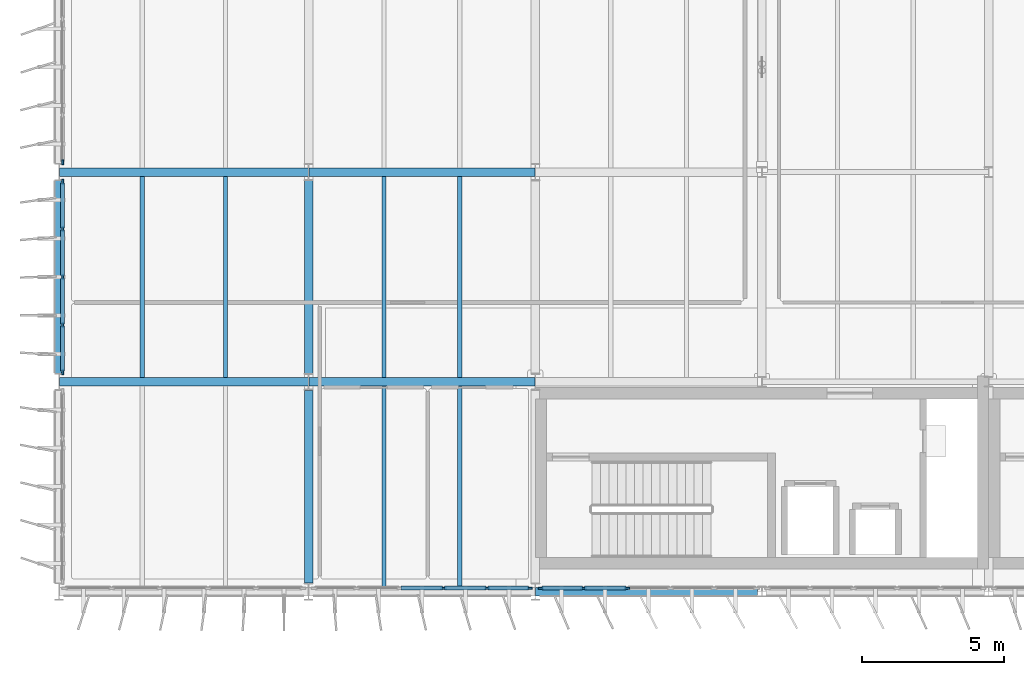
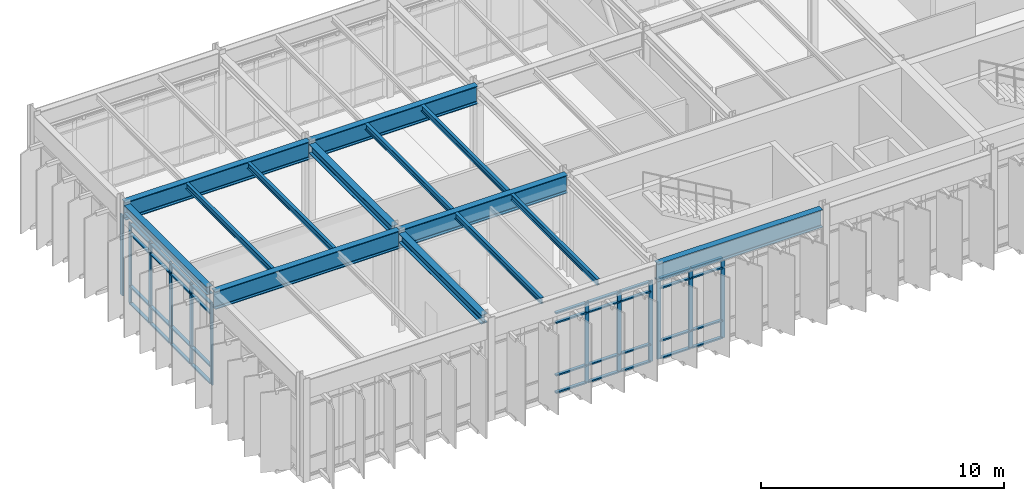
# One storey, part 8 of 48: 48 members, 14 beams, 4 elements without a shape of their own.
"""IFC4 building model written with IfcOpenShell, lengths in metres."""

from ifc_helpers import new_model, si_unit, direction, frame, origin, origin_2d, place, context, subcontext, project, spatial, rectangle, i_section, extrude, material, layer, layer_set, material_profile, profile_set, type_object, element, aggregate, save


model = new_model("IFC4")

# Units and contexts
model_context = context("Model", 3, precision=1e-05, world=origin(), true_north=direction((0.0, 1.0)))
body_context = subcontext(model_context, "Body", "Model", "MODEL_VIEW")
ifc_project = project(units=[si_unit("LENGTHUNIT", "METRE"), si_unit("AREAUNIT", "SQUARE_METRE"), si_unit("VOLUMEUNIT", "CUBIC_METRE"), si_unit("PLANEANGLEUNIT", "RADIAN"), si_unit("MASSUNIT", "GRAM", prefix="KILO")], contexts=[model_context])

# Site, building, storey
site_placement = place(None, origin())
site = spatial("IfcSite", under=ifc_project, at=site_placement, CompositionType="ELEMENT")
building_placement = place(site_placement, origin())
building = spatial("IfcBuilding", under=site, at=building_placement, Name="Valkorina Park Police Headquarters", CompositionType="ELEMENT")
storey_placement = place(building_placement, frame((0.0, 0.0, 18.10009765625)))
storey = spatial("IfcBuildingStorey", under=building, at=storey_placement, Name="L05", CompositionType="ELEMENT", Elevation=18.10009765625)

# Beams
ifc_material_1 = material(Name="Steel S355", Category="steel")
ifc_material_profile_1 = material_profile(ifc_material_1, i_section(OverallWidth=0.300048828125, OverallDepth=0.389892578125, WebThickness=0.010986328125, FlangeThickness=0.01904296875, FilletRadius=0.027099609375, at=origin_2d()), Name="HEA 400")
ifc_profile_set_1 = profile_set([ifc_material_profile_1], Name="Steel S355")
beam_type_1 = type_object("IfcBeamType", Name="BM-S355-HEA400-SPN", PredefinedType="SPANDREL", material=ifc_profile_set_1)
beam_1_placement = place(storey_placement, frame((0.0, 44.699951171875, 4.784912109375), z_axis=(0.0, 1.0, 0.0), x_axis=(-1.0, 0.0, 0.0)))
element("IfcBeam", 1, at=beam_1_placement, inside=storey, type_object=beam_type_1, Name="L05 Framing Beam 2510", PredefinedType="SPANDREL", context=body_context, shape_type="SweptSolid", body=[
    extrude(i_section(OverallWidth=0.300048828125, OverallDepth=0.389892578125, WebThickness=0.010986328125, FlangeThickness=0.01904296875, FilletRadius=0.027099609375, at=origin_2d()), origin(), (0.0, 0.0, 1.0), 6.800048828125),
])
ifc_material_profile_2 = material_profile(ifc_material_1, i_section(OverallWidth=0.300048828125, OverallDepth=0.449951171875, WebThickness=0.013916015625, FlangeThickness=0.02587890625, FilletRadius=0.027099609375, at=origin_2d()), Name="HEB 450")
ifc_profile_set_2 = profile_set([ifc_material_profile_2], Name="Steel S355")
beam_type_2 = type_object("IfcBeamType", Name="BM-S355-HEB450-BM", PredefinedType="BEAM", material=ifc_profile_set_2)
for number, where, z_axis, x_axis, name in (
    (2, (8.800048828125, 37.300048828125, 4.7548828125), (0.0, 1.0, 0.0), (-1.0, 0.0, 0.0), "L05 Framing Beam 2516"),
    (3, (8.800048828125, 44.699951171875, 4.7548828125), (0.0, 1.0, 0.0), (-1.0, 0.0, 0.0), "L05 Framing Beam 2519"),
):
    element("IfcBeam", number, at=place(storey_placement, frame(where, z_axis=z_axis, x_axis=x_axis)), inside=storey, type_object=beam_type_2, Name=name, PredefinedType="BEAM", context=body_context, shape_type="SweptSolid", body=[
        extrude(i_section(OverallWidth=0.300048828125, OverallDepth=0.449951171875, WebThickness=0.013916015625, FlangeThickness=0.02587890625, FilletRadius=0.027099609375, at=origin_2d()), origin(), (0.0, 0.0, 1.0), 6.800048828125),
    ])
ifc_material_profile_3 = material_profile(ifc_material_1, i_section(OverallWidth=0.300048828125, OverallDepth=0.89990234375, WebThickness=0.0185546875, FlangeThickness=0.034912109375, FilletRadius=0.030029296875, at=origin_2d()), Name="HEB 900")
ifc_profile_set_3 = profile_set([ifc_material_profile_3], Name="Steel S355")
beam_type_3 = type_object("IfcBeamType", Name="BM-S355-HEB900-BM", PredefinedType="BEAM", material=ifc_profile_set_3)
beam_2_placement = place(storey_placement, frame((0.0078125, 44.39990234375, 4.52978515625), z_axis=(1.0, 0.0, 0.0), x_axis=(0.0, 1.0, 0.0)))
element("IfcBeam", 4, at=beam_2_placement, inside=storey, type_object=beam_type_3, Name="L05 Framing Beam 2468", PredefinedType="BEAM", context=body_context, shape_type="SweptSolid", body=[
    extrude(i_section(OverallWidth=0.300048828125, OverallDepth=0.89990234375, WebThickness=0.0185546875, FlangeThickness=0.034912109375, FilletRadius=0.030029296875, at=origin_2d()), origin(), (0.0, 0.0, 1.0), 8.784423828125),
])
beam_3_placement = place(storey_placement, frame((8.8076171875, 44.39990234375, 4.52978515625), z_axis=(1.0, 0.0, 0.0), x_axis=(0.0, 1.0, 0.0)))
element("IfcBeam", 5, at=beam_3_placement, inside=storey, type_object=beam_type_3, Name="L05 Framing Beam 2469", PredefinedType="BEAM", context=body_context, shape_type="SweptSolid", body=[
    extrude(i_section(OverallWidth=0.300048828125, OverallDepth=0.89990234375, WebThickness=0.0185546875, FlangeThickness=0.034912109375, FilletRadius=0.030029296875, at=origin_2d()), origin(), (0.0, 0.0, 1.0), 7.984619140625),
])
beam_4_placement = place(storey_placement, frame((0.0078125, 51.800048828125, 4.52978515625), z_axis=(1.0, 0.0, 0.0), x_axis=(0.0, 1.0, 0.0)))
element("IfcBeam", 6, at=beam_4_placement, inside=storey, type_object=beam_type_3, Name="L05 Framing Beam 2479", PredefinedType="BEAM", context=body_context, shape_type="SweptSolid", body=[
    extrude(i_section(OverallWidth=0.300048828125, OverallDepth=0.89990234375, WebThickness=0.0185546875, FlangeThickness=0.034912109375, FilletRadius=0.030029296875, at=origin_2d()), origin(), (0.0, 0.0, 1.0), 8.784423828125),
])
beam_5_placement = place(storey_placement, frame((8.8076171875, 51.800048828125, 4.52978515625), z_axis=(1.0, 0.0, 0.0), x_axis=(0.0, 1.0, 0.0)))
element("IfcBeam", 7, at=beam_5_placement, inside=storey, type_object=beam_type_3, Name="L05 Framing Beam 2480", PredefinedType="BEAM", context=body_context, shape_type="SweptSolid", body=[
    extrude(i_section(OverallWidth=0.300048828125, OverallDepth=0.89990234375, WebThickness=0.0185546875, FlangeThickness=0.034912109375, FilletRadius=0.030029296875, at=origin_2d()), origin(), (0.0, 0.0, 1.0), 7.984619140625),
])
ifc_material_profile_4 = material_profile(ifc_material_1, i_section(OverallWidth=0.300048828125, OverallDepth=0.89990234375, WebThickness=0.0185546875, FlangeThickness=0.034912109375, FilletRadius=0.030029296875, at=origin_2d()), Name="HEB 900")
ifc_profile_set_4 = profile_set([ifc_material_profile_4], Name="Steel S355")
beam_type_4 = type_object("IfcBeamType", Name="BM-S355-HEB900-EXT", PredefinedType="SPANDREL", material=ifc_profile_set_4)
beam_6_placement = place(storey_placement, frame((16.8076171875, 37.0, 4.52978515625), z_axis=(1.0, 0.0, 0.0), x_axis=(0.0, 1.0, 0.0)))
element("IfcBeam", 8, at=beam_6_placement, inside=storey, type_object=beam_type_4, Name="L05 Framing Beam 2456", PredefinedType="SPANDREL", context=body_context, shape_type="SweptSolid", body=[
    extrude(i_section(OverallWidth=0.300048828125, OverallDepth=0.89990234375, WebThickness=0.0185546875, FlangeThickness=0.034912109375, FilletRadius=0.030029296875, at=origin_2d()), origin(), (0.0, 0.0, 1.0), 7.84228515625),
])
ifc_material_profile_5 = material_profile(ifc_material_1, i_section(OverallWidth=0.14990234375, OverallDepth=0.300048828125, WebThickness=0.007080078125, FlangeThickness=0.0107421875, FilletRadius=0.014892578125, at=origin_2d()), Name="IPE 300")
ifc_profile_set_5 = profile_set([ifc_material_profile_5], Name="Steel S355")
beam_type_5 = type_object("IfcBeamType", Name="BM-S355-IPE300-JST", PredefinedType="JOIST", material=ifc_profile_set_5)
for number, where, z_axis, x_axis, name in (
    (9, (2.933349609375, 44.550048828125, 4.829833984375), (0.0, 1.0, 0.0), (-1.0, 0.0, 0.0), "L05 Framing Beam 2511"),
    (10, (5.86669921875, 44.550048828125, 4.829833984375), (0.0, 1.0, 0.0), (-1.0, 0.0, 0.0), "L05 Framing Beam 2512"),
):
    element("IfcBeam", number, at=place(storey_placement, frame(where, z_axis=z_axis, x_axis=x_axis)), inside=storey, type_object=beam_type_5, Name=name, PredefinedType="JOIST", context=body_context, shape_type="SweptSolid", body=[
        extrude(i_section(OverallWidth=0.14990234375, OverallDepth=0.300048828125, WebThickness=0.007080078125, FlangeThickness=0.0107421875, FilletRadius=0.014892578125, at=origin_2d()), origin(), (0.0, 0.0, 1.0), 7.099853515625),
    ])
for number, where, z_axis, x_axis, name in (
    (11, (11.466796875, 37.14990234375, 4.829833984375), (0.0, 1.0, 0.0), (-1.0, 0.0, 0.0), "L05 Framing Beam 2517"),
    (12, (14.13330078125, 37.14990234375, 4.829833984375), (0.0, 1.0, 0.0), (-1.0, 0.0, 0.0), "L05 Framing Beam 2518"),
):
    element("IfcBeam", number, at=place(storey_placement, frame(where, z_axis=z_axis, x_axis=x_axis)), inside=storey, type_object=beam_type_5, Name=name, PredefinedType="JOIST", context=body_context, shape_type="SweptSolid", body=[
        extrude(i_section(OverallWidth=0.14990234375, OverallDepth=0.300048828125, WebThickness=0.007080078125, FlangeThickness=0.0107421875, FilletRadius=0.014892578125, at=origin_2d()), origin(), (0.0, 0.0, 1.0), 7.10009765625),
    ])
for number, where, z_axis, x_axis, name in (
    (13, (11.466796875, 44.550048828125, 4.829833984375), (0.0, 1.0, 0.0), (-1.0, 0.0, 0.0), "L05 Framing Beam 2520"),
    (14, (14.13330078125, 44.550048828125, 4.829833984375), (0.0, 1.0, 0.0), (-1.0, 0.0, 0.0), "L05 Framing Beam 2521"),
):
    element("IfcBeam", number, at=place(storey_placement, frame(where, z_axis=z_axis, x_axis=x_axis)), inside=storey, type_object=beam_type_5, Name=name, PredefinedType="JOIST", context=body_context, shape_type="SweptSolid", body=[
        extrude(i_section(OverallWidth=0.14990234375, OverallDepth=0.300048828125, WebThickness=0.007080078125, FlangeThickness=0.0107421875, FilletRadius=0.014892578125, at=origin_2d()), origin(), (0.0, 0.0, 1.0), 7.099853515625),
    ])

# Curtain wall, members
ifc_material_2 = material(Name="Thermally broken aluminium AW-6060", Category="aluminium")
ifc_layer_1 = layer(ifc_material_2, 0.18994140625)
ifc_layer_set_1 = layer_set([ifc_layer_1], Name="Thermally broken aluminium AW-6060")
curtain_wall_type_1 = type_object("IfcCurtainWallType", Name="CW-V5-7680x4070", PredefinedType="NOTDEFINED", material=ifc_layer_set_1)
curtain_wall_1_placement = place(storey_placement, origin())
curtain_wall_1 = element("IfcCurtainWall", 15, at=curtain_wall_1_placement, inside=storey, type_object=curtain_wall_type_1, Name="L05 Unitised Curtain Wall 072", PredefinedType="NOTDEFINED")
ifc_material_profile_6 = material_profile(ifc_material_2, rectangle(XDim=0.070068359375, YDim=0.18994140625, at=origin_2d()), Name="CWM-02 70x190")
ifc_profile_set_6 = profile_set([ifc_material_profile_6], Name="Thermally broken aluminium AW-6060")
member_type_1 = type_object("IfcMemberType", Name="CWM-70x190", PredefinedType="MULLION", material=ifc_profile_set_6)
member_1_placement = place(storey_placement, frame((20.031982421875, 37.1201171875, 0.0), z_axis=(0.0, 0.0, 1.0), x_axis=(0.0, -1.0, 0.0)))
member_1 = element("IfcMember", 16, at=member_1_placement, type_object=member_type_1, Name="CW-V5-768-407 mullion 4", PredefinedType="MULLION", context=body_context, shape_type="SweptSolid", body=[
    extrude(rectangle(XDim=0.070068359375, YDim=0.18994140625, at=origin_2d()), origin(), (0.0, 0.0, 1.0), 4.06982421875),
])
member_2_placement = place(storey_placement, frame((18.49609375, 37.1201171875, 0.0), z_axis=(0.0, 0.0, 1.0), x_axis=(0.0, -1.0, 0.0)))
member_2 = element("IfcMember", 17, at=member_2_placement, type_object=member_type_1, Name="CW-V5-768-407 mullion 5", PredefinedType="MULLION", context=body_context, shape_type="SweptSolid", body=[
    extrude(rectangle(XDim=0.070068359375, YDim=0.18994140625, at=origin_2d()), origin(), (0.0, 0.0, 1.0), 4.06982421875),
])
member_3_placement = place(storey_placement, frame((16.9951171875, 37.1201171875, 0.0), z_axis=(0.0, 0.0, 1.0), x_axis=(0.0, -1.0, 0.0)))
member_3 = element("IfcMember", 18, at=member_3_placement, type_object=member_type_1, Name="CW-V5-768-407 mullion 6", PredefinedType="MULLION", context=body_context, shape_type="SweptSolid", body=[
    extrude(rectangle(XDim=0.070068359375, YDim=0.18994140625, at=origin_2d()), origin(), (0.0, 0.0, 1.0), 4.06982421875),
])

curtain_wall_2_placement = place(storey_placement, origin())
curtain_wall_2 = element("IfcCurtainWall", 19, at=curtain_wall_2_placement, inside=storey, type_object=curtain_wall_type_1, Name="L05 Unitised Curtain Wall 073", PredefinedType="NOTDEFINED")
member_4_placement = place(storey_placement, frame((16.60498046875, 37.1201171875, 0.0), z_axis=(0.0, 0.0, 1.0), x_axis=(0.0, -1.0, 0.0)))
member_4 = element("IfcMember", 20, at=member_4_placement, type_object=member_type_1, Name="CW-V5-768-407 mullion 1", PredefinedType="MULLION", context=body_context, shape_type="SweptSolid", body=[
    extrude(rectangle(XDim=0.070068359375, YDim=0.18994140625, at=origin_2d()), origin(), (0.0, 0.0, 1.0), 4.06982421875),
])
member_5_placement = place(storey_placement, frame((15.10400390625, 37.1201171875, 0.0), z_axis=(0.0, 0.0, 1.0), x_axis=(0.0, -1.0, 0.0)))
member_5 = element("IfcMember", 21, at=member_5_placement, type_object=member_type_1, Name="CW-V5-768-407 mullion 2", PredefinedType="MULLION", context=body_context, shape_type="SweptSolid", body=[
    extrude(rectangle(XDim=0.070068359375, YDim=0.18994140625, at=origin_2d()), origin(), (0.0, 0.0, 1.0), 4.06982421875),
])
member_6_placement = place(storey_placement, frame((13.568115234375, 37.1201171875, 0.0), z_axis=(0.0, 0.0, 1.0), x_axis=(0.0, -1.0, 0.0)))
member_6 = element("IfcMember", 22, at=member_6_placement, type_object=member_type_1, Name="CW-V5-768-407 mullion 3", PredefinedType="MULLION", context=body_context, shape_type="SweptSolid", body=[
    extrude(rectangle(XDim=0.070068359375, YDim=0.18994140625, at=origin_2d()), origin(), (0.0, 0.0, 1.0), 4.06982421875),
])

ifc_layer_2 = layer(ifc_material_2, 0.18994140625)
ifc_layer_set_2 = layer_set([ifc_layer_2], Name="Thermally broken aluminium AW-6060")
curtain_wall_type_2 = type_object("IfcCurtainWallType", Name="CW-V5-6780x4070", PredefinedType="NOTDEFINED", material=ifc_layer_set_2)
curtain_wall_3_placement = place(storey_placement, origin())
curtain_wall_3 = element("IfcCurtainWall", 23, at=curtain_wall_3_placement, inside=storey, type_object=curtain_wall_type_2, Name="L05 Unitised Curtain Wall 076", PredefinedType="NOTDEFINED")
member_7_placement = place(storey_placement, frame((0.1201171875, 44.7451171875, 0.0), z_axis=(0.0, 0.0, 1.0), x_axis=(-1.0, 0.0, 0.0)))
member_7 = element("IfcMember", 24, at=member_7_placement, type_object=member_type_1, Name="CW-V5-678-407 mullion 1", PredefinedType="MULLION", context=body_context, shape_type="SweptSolid", body=[
    extrude(rectangle(XDim=0.070068359375, YDim=0.18994140625, at=origin_2d()), origin(), (0.0, 0.0, 1.0), 4.06982421875),
])
member_8_placement = place(storey_placement, frame((0.1201171875, 46.405029296875, 0.0), z_axis=(0.0, 0.0, 1.0), x_axis=(-1.0, 0.0, 0.0)))
member_8 = element("IfcMember", 25, at=member_8_placement, type_object=member_type_1, Name="CW-V5-678-407 mullion 2", PredefinedType="MULLION", context=body_context, shape_type="SweptSolid", body=[
    extrude(rectangle(XDim=0.070068359375, YDim=0.18994140625, at=origin_2d()), origin(), (0.0, 0.0, 1.0), 4.06982421875),
])
member_9_placement = place(storey_placement, frame((0.1201171875, 48.10009765625, 0.0), z_axis=(0.0, 0.0, 1.0), x_axis=(-1.0, 0.0, 0.0)))
member_9 = element("IfcMember", 26, at=member_9_placement, type_object=member_type_1, Name="CW-V5-678-407 mullion 3", PredefinedType="MULLION", context=body_context, shape_type="SweptSolid", body=[
    extrude(rectangle(XDim=0.070068359375, YDim=0.18994140625, at=origin_2d()), origin(), (0.0, 0.0, 1.0), 4.06982421875),
])
member_10_placement = place(storey_placement, frame((0.1201171875, 49.794921875, 0.0), z_axis=(0.0, 0.0, 1.0), x_axis=(-1.0, 0.0, 0.0)))
member_10 = element("IfcMember", 27, at=member_10_placement, type_object=member_type_1, Name="CW-V5-678-407 mullion 4", PredefinedType="MULLION", context=body_context, shape_type="SweptSolid", body=[
    extrude(rectangle(XDim=0.070068359375, YDim=0.18994140625, at=origin_2d()), origin(), (0.0, 0.0, 1.0), 4.06982421875),
])
member_11_placement = place(storey_placement, frame((0.1201171875, 51.455078125, 0.0), z_axis=(0.0, 0.0, 1.0), x_axis=(-1.0, 0.0, 0.0)))
member_11 = element("IfcMember", 28, at=member_11_placement, type_object=member_type_1, Name="CW-V5-678-407 mullion 5", PredefinedType="MULLION", context=body_context, shape_type="SweptSolid", body=[
    extrude(rectangle(XDim=0.070068359375, YDim=0.18994140625, at=origin_2d()), origin(), (0.0, 0.0, 1.0), 4.06982421875),
])

# Curtain wall, member
curtain_wall_4_placement = place(storey_placement, origin())
curtain_wall_4 = element("IfcCurtainWall", 29, at=curtain_wall_4_placement, inside=storey, type_object=curtain_wall_type_2, Name="L05 Unitised Curtain Wall 077", PredefinedType="NOTDEFINED")
member_12_placement = place(storey_placement, frame((0.1201171875, 52.14501953125, 0.0), z_axis=(0.0, 0.0, 1.0), x_axis=(-1.0, 0.0, 0.0)))
member_12 = element("IfcMember", 30, at=member_12_placement, type_object=member_type_1, Name="CW-V5-678-407 mullion 1", PredefinedType="MULLION", context=body_context, shape_type="SweptSolid", body=[
    extrude(rectangle(XDim=0.070068359375, YDim=0.18994140625, at=origin_2d()), origin(), (0.0, 0.0, 1.0), 4.06982421875),
])
aggregate(curtain_wall_4, [member_12])

# Member
ifc_material_profile_7 = material_profile(ifc_material_2, rectangle(XDim=0.14990234375, YDim=0.070068359375, at=origin_2d()), Name="CWT-02 150x70")
ifc_profile_set_7 = profile_set([ifc_material_profile_7], Name="Thermally broken aluminium AW-6060")
member_type_2 = type_object("IfcMemberType", Name="CWT-150x70", PredefinedType="USERDEFINED", material=ifc_profile_set_7)
member_13_placement = place(storey_placement, frame((19.9970703125, 37.1201171875, 0.034912109375), z_axis=(-1.0, 0.0, 0.0), x_axis=(0.0, -1.0, 0.0)))
member_13 = element("IfcMember", 31, at=member_13_placement, type_object=member_type_2, Name="CW-V5-768-407 transom 4.1", ObjectType="TRANSOM", PredefinedType="USERDEFINED", context=body_context, shape_type="SweptSolid", body=[
    extrude(rectangle(XDim=0.14990234375, YDim=0.070068359375, at=origin_2d()), origin(), (0.0, 0.0, 1.0), 1.466064453125),
])

member_14_placement = place(storey_placement, frame((19.9970703125, 37.1201171875, 0.89990234375), z_axis=(-1.0, 0.0, 0.0), x_axis=(0.0, -1.0, 0.0)))
member_14 = element("IfcMember", 32, at=member_14_placement, type_object=member_type_2, Name="CW-V5-768-407 transom 4.2", ObjectType="TRANSOM", PredefinedType="USERDEFINED", context=body_context, shape_type="SweptSolid", body=[
    extrude(rectangle(XDim=0.14990234375, YDim=0.070068359375, at=origin_2d()), origin(), (0.0, 0.0, 1.0), 1.466064453125),
])

member_15_placement = place(storey_placement, frame((19.9970703125, 37.1201171875, 3.5498046875), z_axis=(-1.0, 0.0, 0.0), x_axis=(0.0, -1.0, 0.0)))
member_15 = element("IfcMember", 33, at=member_15_placement, type_object=member_type_2, Name="CW-V5-768-407 transom 4.3", ObjectType="TRANSOM", PredefinedType="USERDEFINED", context=body_context, shape_type="SweptSolid", body=[
    extrude(rectangle(XDim=0.14990234375, YDim=0.070068359375, at=origin_2d()), origin(), (0.0, 0.0, 1.0), 1.466064453125),
])

member_16_placement = place(storey_placement, frame((19.9970703125, 37.1201171875, 4.034912109375), z_axis=(-1.0, 0.0, 0.0), x_axis=(0.0, -1.0, 0.0)))
member_16 = element("IfcMember", 34, at=member_16_placement, type_object=member_type_2, Name="CW-V5-768-407 transom 4.4", ObjectType="TRANSOM", PredefinedType="USERDEFINED", context=body_context, shape_type="SweptSolid", body=[
    extrude(rectangle(XDim=0.14990234375, YDim=0.070068359375, at=origin_2d()), origin(), (0.0, 0.0, 1.0), 1.466064453125),
])

member_17_placement = place(storey_placement, frame((18.4609375, 37.1201171875, 0.034912109375), z_axis=(-1.0, 0.0, 0.0), x_axis=(0.0, -1.0, 0.0)))
member_17 = element("IfcMember", 35, at=member_17_placement, type_object=member_type_2, Name="CW-V5-768-407 transom 5.1", ObjectType="TRANSOM", PredefinedType="USERDEFINED", context=body_context, shape_type="SweptSolid", body=[
    extrude(rectangle(XDim=0.14990234375, YDim=0.070068359375, at=origin_2d()), origin(), (0.0, 0.0, 1.0), 1.430908203125),
])

member_18_placement = place(storey_placement, frame((18.4609375, 37.1201171875, 0.89990234375), z_axis=(-1.0, 0.0, 0.0), x_axis=(0.0, -1.0, 0.0)))
member_18 = element("IfcMember", 36, at=member_18_placement, type_object=member_type_2, Name="CW-V5-768-407 transom 5.2", ObjectType="TRANSOM", PredefinedType="USERDEFINED", context=body_context, shape_type="SweptSolid", body=[
    extrude(rectangle(XDim=0.14990234375, YDim=0.070068359375, at=origin_2d()), origin(), (0.0, 0.0, 1.0), 1.430908203125),
])

member_19_placement = place(storey_placement, frame((18.4609375, 37.1201171875, 3.5498046875), z_axis=(-1.0, 0.0, 0.0), x_axis=(0.0, -1.0, 0.0)))
member_19 = element("IfcMember", 37, at=member_19_placement, type_object=member_type_2, Name="CW-V5-768-407 transom 5.3", ObjectType="TRANSOM", PredefinedType="USERDEFINED", context=body_context, shape_type="SweptSolid", body=[
    extrude(rectangle(XDim=0.14990234375, YDim=0.070068359375, at=origin_2d()), origin(), (0.0, 0.0, 1.0), 1.430908203125),
])

member_20_placement = place(storey_placement, frame((18.4609375, 37.1201171875, 4.034912109375), z_axis=(-1.0, 0.0, 0.0), x_axis=(0.0, -1.0, 0.0)))
member_20 = element("IfcMember", 38, at=member_20_placement, type_object=member_type_2, Name="CW-V5-768-407 transom 5.4", ObjectType="TRANSOM", PredefinedType="USERDEFINED", context=body_context, shape_type="SweptSolid", body=[
    extrude(rectangle(XDim=0.14990234375, YDim=0.070068359375, at=origin_2d()), origin(), (0.0, 0.0, 1.0), 1.430908203125),
])

aggregate(curtain_wall_1, [member_1, member_2, member_3, member_13, member_14, member_15, member_16, member_17, member_18, member_19, member_20])

member_21_placement = place(storey_placement, frame((16.570068359375, 37.1201171875, 0.034912109375), z_axis=(-1.0, 0.0, 0.0), x_axis=(0.0, -1.0, 0.0)))
member_21 = element("IfcMember", 39, at=member_21_placement, type_object=member_type_2, Name="CW-V5-768-407 transom 1.1", ObjectType="TRANSOM", PredefinedType="USERDEFINED", context=body_context, shape_type="SweptSolid", body=[
    extrude(rectangle(XDim=0.14990234375, YDim=0.070068359375, at=origin_2d()), origin(), (0.0, 0.0, 1.0), 1.43115234375),
])

member_22_placement = place(storey_placement, frame((16.570068359375, 37.1201171875, 0.89990234375), z_axis=(-1.0, 0.0, 0.0), x_axis=(0.0, -1.0, 0.0)))
member_22 = element("IfcMember", 40, at=member_22_placement, type_object=member_type_2, Name="CW-V5-768-407 transom 1.2", ObjectType="TRANSOM", PredefinedType="USERDEFINED", context=body_context, shape_type="SweptSolid", body=[
    extrude(rectangle(XDim=0.14990234375, YDim=0.070068359375, at=origin_2d()), origin(), (0.0, 0.0, 1.0), 1.43115234375),
])

member_23_placement = place(storey_placement, frame((16.570068359375, 37.1201171875, 3.5498046875), z_axis=(-1.0, 0.0, 0.0), x_axis=(0.0, -1.0, 0.0)))
member_23 = element("IfcMember", 41, at=member_23_placement, type_object=member_type_2, Name="CW-V5-768-407 transom 1.3", ObjectType="TRANSOM", PredefinedType="USERDEFINED", context=body_context, shape_type="SweptSolid", body=[
    extrude(rectangle(XDim=0.14990234375, YDim=0.070068359375, at=origin_2d()), origin(), (0.0, 0.0, 1.0), 1.43115234375),
])

member_24_placement = place(storey_placement, frame((16.570068359375, 37.1201171875, 4.034912109375), z_axis=(-1.0, 0.0, 0.0), x_axis=(0.0, -1.0, 0.0)))
member_24 = element("IfcMember", 42, at=member_24_placement, type_object=member_type_2, Name="CW-V5-768-407 transom 1.4", ObjectType="TRANSOM", PredefinedType="USERDEFINED", context=body_context, shape_type="SweptSolid", body=[
    extrude(rectangle(XDim=0.14990234375, YDim=0.070068359375, at=origin_2d()), origin(), (0.0, 0.0, 1.0), 1.43115234375),
])

member_25_placement = place(storey_placement, frame((15.069091796875, 37.1201171875, 0.034912109375), z_axis=(-1.0, 0.0, 0.0), x_axis=(0.0, -1.0, 0.0)))
member_25 = element("IfcMember", 43, at=member_25_placement, type_object=member_type_2, Name="CW-V5-768-407 transom 2.1", ObjectType="TRANSOM", PredefinedType="USERDEFINED", context=body_context, shape_type="SweptSolid", body=[
    extrude(rectangle(XDim=0.14990234375, YDim=0.070068359375, at=origin_2d()), origin(), (0.0, 0.0, 1.0), 1.466064453125),
])

member_26_placement = place(storey_placement, frame((15.069091796875, 37.1201171875, 0.89990234375), z_axis=(-1.0, 0.0, 0.0), x_axis=(0.0, -1.0, 0.0)))
member_26 = element("IfcMember", 44, at=member_26_placement, type_object=member_type_2, Name="CW-V5-768-407 transom 2.2", ObjectType="TRANSOM", PredefinedType="USERDEFINED", context=body_context, shape_type="SweptSolid", body=[
    extrude(rectangle(XDim=0.14990234375, YDim=0.070068359375, at=origin_2d()), origin(), (0.0, 0.0, 1.0), 1.466064453125),
])

member_27_placement = place(storey_placement, frame((15.069091796875, 37.1201171875, 3.5498046875), z_axis=(-1.0, 0.0, 0.0), x_axis=(0.0, -1.0, 0.0)))
member_27 = element("IfcMember", 45, at=member_27_placement, type_object=member_type_2, Name="CW-V5-768-407 transom 2.3", ObjectType="TRANSOM", PredefinedType="USERDEFINED", context=body_context, shape_type="SweptSolid", body=[
    extrude(rectangle(XDim=0.14990234375, YDim=0.070068359375, at=origin_2d()), origin(), (0.0, 0.0, 1.0), 1.466064453125),
])

member_28_placement = place(storey_placement, frame((15.069091796875, 37.1201171875, 4.034912109375), z_axis=(-1.0, 0.0, 0.0), x_axis=(0.0, -1.0, 0.0)))
member_28 = element("IfcMember", 46, at=member_28_placement, type_object=member_type_2, Name="CW-V5-768-407 transom 2.4", ObjectType="TRANSOM", PredefinedType="USERDEFINED", context=body_context, shape_type="SweptSolid", body=[
    extrude(rectangle(XDim=0.14990234375, YDim=0.070068359375, at=origin_2d()), origin(), (0.0, 0.0, 1.0), 1.466064453125),
])

member_29_placement = place(storey_placement, frame((13.532958984375, 37.1201171875, 0.034912109375), z_axis=(-1.0, 0.0, 0.0), x_axis=(0.0, -1.0, 0.0)))
member_29 = element("IfcMember", 47, at=member_29_placement, type_object=member_type_2, Name="CW-V5-768-407 transom 3.1", ObjectType="TRANSOM", PredefinedType="USERDEFINED", context=body_context, shape_type="SweptSolid", body=[
    extrude(rectangle(XDim=0.14990234375, YDim=0.070068359375, at=origin_2d()), origin(), (0.0, 0.0, 1.0), 1.466064453125),
])

member_30_placement = place(storey_placement, frame((13.532958984375, 37.1201171875, 0.89990234375), z_axis=(-1.0, 0.0, 0.0), x_axis=(0.0, -1.0, 0.0)))
member_30 = element("IfcMember", 48, at=member_30_placement, type_object=member_type_2, Name="CW-V5-768-407 transom 3.2", ObjectType="TRANSOM", PredefinedType="USERDEFINED", context=body_context, shape_type="SweptSolid", body=[
    extrude(rectangle(XDim=0.14990234375, YDim=0.070068359375, at=origin_2d()), origin(), (0.0, 0.0, 1.0), 1.466064453125),
])

member_31_placement = place(storey_placement, frame((13.532958984375, 37.1201171875, 3.5498046875), z_axis=(-1.0, 0.0, 0.0), x_axis=(0.0, -1.0, 0.0)))
member_31 = element("IfcMember", 49, at=member_31_placement, type_object=member_type_2, Name="CW-V5-768-407 transom 3.3", ObjectType="TRANSOM", PredefinedType="USERDEFINED", context=body_context, shape_type="SweptSolid", body=[
    extrude(rectangle(XDim=0.14990234375, YDim=0.070068359375, at=origin_2d()), origin(), (0.0, 0.0, 1.0), 1.466064453125),
])

member_32_placement = place(storey_placement, frame((13.532958984375, 37.1201171875, 4.034912109375), z_axis=(-1.0, 0.0, 0.0), x_axis=(0.0, -1.0, 0.0)))
member_32 = element("IfcMember", 50, at=member_32_placement, type_object=member_type_2, Name="CW-V5-768-407 transom 3.4", ObjectType="TRANSOM", PredefinedType="USERDEFINED", context=body_context, shape_type="SweptSolid", body=[
    extrude(rectangle(XDim=0.14990234375, YDim=0.070068359375, at=origin_2d()), origin(), (0.0, 0.0, 1.0), 1.466064453125),
])

aggregate(curtain_wall_2, [member_4, member_5, member_6, member_21, member_22, member_23, member_24, member_25, member_26, member_27, member_28, member_29, member_30, member_31, member_32])

member_33_placement = place(storey_placement, frame((0.1201171875, 44.780029296875, 0.034912109375), z_axis=(0.0, 1.0, 0.0), x_axis=(-1.0, 0.0, 0.0)))
member_33 = element("IfcMember", 51, at=member_33_placement, type_object=member_type_2, Name="CW-V5-678-407 transom 1.1", ObjectType="TRANSOM", PredefinedType="USERDEFINED", context=body_context, shape_type="SweptSolid", body=[
    extrude(rectangle(XDim=0.14990234375, YDim=0.070068359375, at=origin_2d()), origin(), (0.0, 0.0, 1.0), 1.590087890625),
])

member_34_placement = place(storey_placement, frame((0.1201171875, 44.780029296875, 0.89990234375), z_axis=(0.0, 1.0, 0.0), x_axis=(-1.0, 0.0, 0.0)))
member_34 = element("IfcMember", 52, at=member_34_placement, type_object=member_type_2, Name="CW-V5-678-407 transom 1.2", ObjectType="TRANSOM", PredefinedType="USERDEFINED", context=body_context, shape_type="SweptSolid", body=[
    extrude(rectangle(XDim=0.14990234375, YDim=0.070068359375, at=origin_2d()), origin(), (0.0, 0.0, 1.0), 1.590087890625),
])

member_35_placement = place(storey_placement, frame((0.1201171875, 44.780029296875, 3.5498046875), z_axis=(0.0, 1.0, 0.0), x_axis=(-1.0, 0.0, 0.0)))
member_35 = element("IfcMember", 53, at=member_35_placement, type_object=member_type_2, Name="CW-V5-678-407 transom 1.3", ObjectType="TRANSOM", PredefinedType="USERDEFINED", context=body_context, shape_type="SweptSolid", body=[
    extrude(rectangle(XDim=0.14990234375, YDim=0.070068359375, at=origin_2d()), origin(), (0.0, 0.0, 1.0), 1.590087890625),
])

member_36_placement = place(storey_placement, frame((0.1201171875, 44.780029296875, 4.034912109375), z_axis=(0.0, 1.0, 0.0), x_axis=(-1.0, 0.0, 0.0)))
member_36 = element("IfcMember", 54, at=member_36_placement, type_object=member_type_2, Name="CW-V5-678-407 transom 1.4", ObjectType="TRANSOM", PredefinedType="USERDEFINED", context=body_context, shape_type="SweptSolid", body=[
    extrude(rectangle(XDim=0.14990234375, YDim=0.070068359375, at=origin_2d()), origin(), (0.0, 0.0, 1.0), 1.590087890625),
])

member_37_placement = place(storey_placement, frame((0.1201171875, 46.43994140625, 0.034912109375), z_axis=(0.0, 1.0, 0.0), x_axis=(-1.0, 0.0, 0.0)))
member_37 = element("IfcMember", 55, at=member_37_placement, type_object=member_type_2, Name="CW-V5-678-407 transom 2.1", ObjectType="TRANSOM", PredefinedType="USERDEFINED", context=body_context, shape_type="SweptSolid", body=[
    extrude(rectangle(XDim=0.14990234375, YDim=0.070068359375, at=origin_2d()), origin(), (0.0, 0.0, 1.0), 1.625),
])

member_38_placement = place(storey_placement, frame((0.1201171875, 46.43994140625, 0.89990234375), z_axis=(0.0, 1.0, 0.0), x_axis=(-1.0, 0.0, 0.0)))
member_38 = element("IfcMember", 56, at=member_38_placement, type_object=member_type_2, Name="CW-V5-678-407 transom 2.2", ObjectType="TRANSOM", PredefinedType="USERDEFINED", context=body_context, shape_type="SweptSolid", body=[
    extrude(rectangle(XDim=0.14990234375, YDim=0.070068359375, at=origin_2d()), origin(), (0.0, 0.0, 1.0), 1.625),
])

member_39_placement = place(storey_placement, frame((0.1201171875, 46.43994140625, 3.5498046875), z_axis=(0.0, 1.0, 0.0), x_axis=(-1.0, 0.0, 0.0)))
member_39 = element("IfcMember", 57, at=member_39_placement, type_object=member_type_2, Name="CW-V5-678-407 transom 2.3", ObjectType="TRANSOM", PredefinedType="USERDEFINED", context=body_context, shape_type="SweptSolid", body=[
    extrude(rectangle(XDim=0.14990234375, YDim=0.070068359375, at=origin_2d()), origin(), (0.0, 0.0, 1.0), 1.625),
])

member_40_placement = place(storey_placement, frame((0.1201171875, 46.43994140625, 4.034912109375), z_axis=(0.0, 1.0, 0.0), x_axis=(-1.0, 0.0, 0.0)))
member_40 = element("IfcMember", 58, at=member_40_placement, type_object=member_type_2, Name="CW-V5-678-407 transom 2.4", ObjectType="TRANSOM", PredefinedType="USERDEFINED", context=body_context, shape_type="SweptSolid", body=[
    extrude(rectangle(XDim=0.14990234375, YDim=0.070068359375, at=origin_2d()), origin(), (0.0, 0.0, 1.0), 1.625),
])

member_41_placement = place(storey_placement, frame((0.1201171875, 48.135009765625, 0.034912109375), z_axis=(0.0, 1.0, 0.0), x_axis=(-1.0, 0.0, 0.0)))
member_41 = element("IfcMember", 59, at=member_41_placement, type_object=member_type_2, Name="CW-V5-678-407 transom 3.1", ObjectType="TRANSOM", PredefinedType="USERDEFINED", context=body_context, shape_type="SweptSolid", body=[
    extrude(rectangle(XDim=0.14990234375, YDim=0.070068359375, at=origin_2d()), origin(), (0.0, 0.0, 1.0), 1.625),
])

member_42_placement = place(storey_placement, frame((0.1201171875, 48.135009765625, 0.89990234375), z_axis=(0.0, 1.0, 0.0), x_axis=(-1.0, 0.0, 0.0)))
member_42 = element("IfcMember", 60, at=member_42_placement, type_object=member_type_2, Name="CW-V5-678-407 transom 3.2", ObjectType="TRANSOM", PredefinedType="USERDEFINED", context=body_context, shape_type="SweptSolid", body=[
    extrude(rectangle(XDim=0.14990234375, YDim=0.070068359375, at=origin_2d()), origin(), (0.0, 0.0, 1.0), 1.625),
])

member_43_placement = place(storey_placement, frame((0.1201171875, 48.135009765625, 3.5498046875), z_axis=(0.0, 1.0, 0.0), x_axis=(-1.0, 0.0, 0.0)))
member_43 = element("IfcMember", 61, at=member_43_placement, type_object=member_type_2, Name="CW-V5-678-407 transom 3.3", ObjectType="TRANSOM", PredefinedType="USERDEFINED", context=body_context, shape_type="SweptSolid", body=[
    extrude(rectangle(XDim=0.14990234375, YDim=0.070068359375, at=origin_2d()), origin(), (0.0, 0.0, 1.0), 1.625),
])

member_44_placement = place(storey_placement, frame((0.1201171875, 48.135009765625, 4.034912109375), z_axis=(0.0, 1.0, 0.0), x_axis=(-1.0, 0.0, 0.0)))
member_44 = element("IfcMember", 62, at=member_44_placement, type_object=member_type_2, Name="CW-V5-678-407 transom 3.4", ObjectType="TRANSOM", PredefinedType="USERDEFINED", context=body_context, shape_type="SweptSolid", body=[
    extrude(rectangle(XDim=0.14990234375, YDim=0.070068359375, at=origin_2d()), origin(), (0.0, 0.0, 1.0), 1.625),
])

member_45_placement = place(storey_placement, frame((0.1201171875, 49.830078125, 0.034912109375), z_axis=(0.0, 1.0, 0.0), x_axis=(-1.0, 0.0, 0.0)))
member_45 = element("IfcMember", 63, at=member_45_placement, type_object=member_type_2, Name="CW-V5-678-407 transom 4.1", ObjectType="TRANSOM", PredefinedType="USERDEFINED", context=body_context, shape_type="SweptSolid", body=[
    extrude(rectangle(XDim=0.14990234375, YDim=0.070068359375, at=origin_2d()), origin(), (0.0, 0.0, 1.0), 1.58984375),
])

member_46_placement = place(storey_placement, frame((0.1201171875, 49.830078125, 0.89990234375), z_axis=(0.0, 1.0, 0.0), x_axis=(-1.0, 0.0, 0.0)))
member_46 = element("IfcMember", 64, at=member_46_placement, type_object=member_type_2, Name="CW-V5-678-407 transom 4.2", ObjectType="TRANSOM", PredefinedType="USERDEFINED", context=body_context, shape_type="SweptSolid", body=[
    extrude(rectangle(XDim=0.14990234375, YDim=0.070068359375, at=origin_2d()), origin(), (0.0, 0.0, 1.0), 1.58984375),
])

member_47_placement = place(storey_placement, frame((0.1201171875, 49.830078125, 3.5498046875), z_axis=(0.0, 1.0, 0.0), x_axis=(-1.0, 0.0, 0.0)))
member_47 = element("IfcMember", 65, at=member_47_placement, type_object=member_type_2, Name="CW-V5-678-407 transom 4.3", ObjectType="TRANSOM", PredefinedType="USERDEFINED", context=body_context, shape_type="SweptSolid", body=[
    extrude(rectangle(XDim=0.14990234375, YDim=0.070068359375, at=origin_2d()), origin(), (0.0, 0.0, 1.0), 1.58984375),
])

member_48_placement = place(storey_placement, frame((0.1201171875, 49.830078125, 4.034912109375), z_axis=(0.0, 1.0, 0.0), x_axis=(-1.0, 0.0, 0.0)))
member_48 = element("IfcMember", 66, at=member_48_placement, type_object=member_type_2, Name="CW-V5-678-407 transom 4.4", ObjectType="TRANSOM", PredefinedType="USERDEFINED", context=body_context, shape_type="SweptSolid", body=[
    extrude(rectangle(XDim=0.14990234375, YDim=0.070068359375, at=origin_2d()), origin(), (0.0, 0.0, 1.0), 1.58984375),
])

aggregate(curtain_wall_3, [member_7, member_8, member_9, member_10, member_11, member_33, member_34, member_35, member_36, member_37, member_38, member_39, member_40, member_41, member_42, member_43, member_44, member_45, member_46, member_47, member_48])

save(model, "model.ifc")
